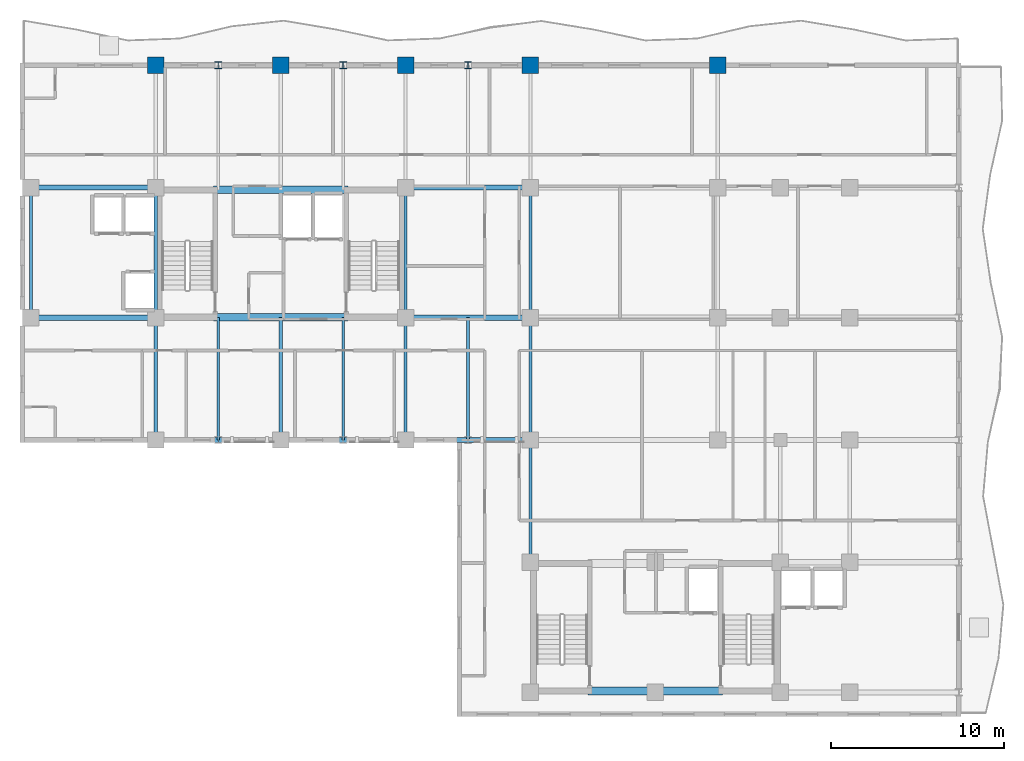
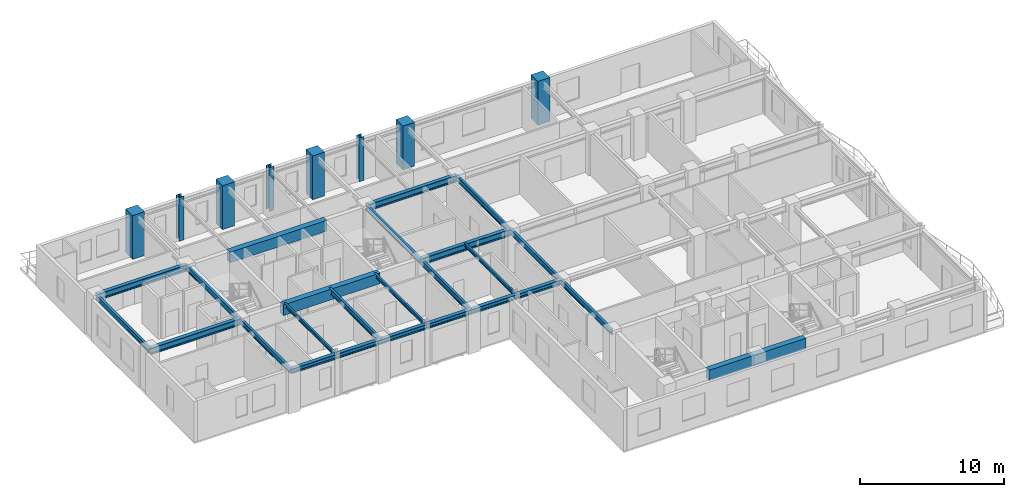
# One storey, part 3 of 13: 25 beams, 8 columns.
"""IFC4 building model written with IfcOpenShell, lengths in metres."""

from ifc_helpers import new_model, si_unit, direction, frame, origin, origin_2d, place, context, subcontext, project, spatial, rectangle, i_section, extrude, source, transform, mapped, material, material_profile, profile_set, type_object, element, save


model = new_model("IFC4")

# Units and contexts
model_context = context("Model", 3, precision=1e-05, world=origin(), true_north=direction((0.0, 1.0)))
body_context = subcontext(model_context, "Body", "Model", "MODEL_VIEW")
ifc_project = project(units=[si_unit("LENGTHUNIT", "METRE"), si_unit("AREAUNIT", "SQUARE_METRE"), si_unit("VOLUMEUNIT", "CUBIC_METRE"), si_unit("PLANEANGLEUNIT", "RADIAN"), si_unit("MASSUNIT", "GRAM", prefix="KILO")], contexts=[model_context])

# Site, building, storey
site_placement = place(None, origin())
site = spatial("IfcSite", under=ifc_project, at=site_placement, CompositionType="ELEMENT")
building_placement = place(site_placement, origin())
building = spatial("IfcBuilding", under=site, at=building_placement, Name="Kaliganga Portal Commons", CompositionType="ELEMENT")
storey_placement = place(building_placement, frame((0.0, 0.0, 212.89990234375)))
storey = spatial("IfcBuildingStorey", under=building, at=storey_placement, Name="L54", CompositionType="ELEMENT", Elevation=212.89990234375)

# Columns
ifc_material_1 = material(Name="Concrete C50/60", Category="concrete")
ifc_material_profile_1 = material_profile(ifc_material_1, rectangle(XDim=0.949951171875, YDim=0.949951171875, at=origin_2d()), Name="RC 950x950")
ifc_profile_set_1 = profile_set([ifc_material_profile_1], Name="Concrete C50/60")
column_type_1 = type_object("IfcColumnType", Name="COL-MEGA-Z4", PredefinedType="COLUMN", material=ifc_profile_set_1)
shared_shape_1 = source(origin(), body_context, "Body", "SweptSolid", [
    extrude(rectangle(XDim=0.949951171875, YDim=0.949951171875, at=origin_2d()), origin(), (0.0, 0.0, 1.0), 3.7001953125),
])
for number, where, z_axis, x_axis, name in (
    (1, (14.39990234375, 43.199951171875, 0.0), (0.0, 0.0, 1.0), (1.0, 0.0, 0.0), "Column MC-05 L54"),
    (2, (21.60009765625, 43.199951171875, 0.0), (0.0, 0.0, 1.0), (1.0, 0.0, 0.0), "Column MC-05 L54"),
    (3, (28.800048828125, 43.199951171875, 0.0), (0.0, 0.0, 1.0), (1.0, 0.0, 0.0), "Column MC-05 L54"),
    (4, (36.0, 43.199951171875, 0.0), (0.0, 0.0, 1.0), (1.0, 0.0, 0.0), "Column MC-05 L54"),
    (5, (46.800048828125, 43.199951171875, 0.0), (0.0, 0.0, 1.0), (1.0, 0.0, 0.0), "Column MC-05 L54"),
):
    element("IfcColumn", number, at=place(storey_placement, frame(where, z_axis=z_axis, x_axis=x_axis)), inside=storey, type_object=column_type_1, Name=name, PredefinedType="COLUMN", context=body_context, shape_type="MappedRepresentation", body=[
        mapped(shared_shape_1, transform((0.0, 0.0, 0.0), x_axis=(1.0, 0.0, 0.0), y_axis=(0.0, 1.0, 0.0), z_axis=(0.0, 0.0, 1.0), scale=1.0)),
    ])
ifc_material_2 = material(Name="Structural steel S355J2", Category="steel")
ifc_material_profile_2 = material_profile(ifc_material_2, i_section(OverallWidth=0.39892578125, OverallDepth=0.39990234375, WebThickness=0.017333984375, FlangeThickness=0.0234375, FilletRadius=0.014892578125, at=origin_2d()), Name="HD 400x287")
ifc_profile_set_2 = profile_set([ifc_material_profile_2], Name="Structural steel S355J2 wide-flange")
column_type_2 = type_object("IfcColumnType", Name="COL-TUBE-B4", PredefinedType="COLUMN", material=ifc_profile_set_2)
shared_shape_2 = source(origin(), body_context, "Body", "SweptSolid", [
    extrude(i_section(OverallWidth=0.39892578125, OverallDepth=0.39990234375, WebThickness=0.017333984375, FlangeThickness=0.0234375, FilletRadius=0.014892578125, at=origin_2d()), origin(), (0.0, 0.0, 1.0), 3.7001953125),
])
for number, where, z_axis, x_axis, name in (
    (6, (18.0, 43.199951171875, 0.0), (0.0, 0.0, 1.0), (1.0, 0.0, 0.0), "Column TC-04 L54"),
    (7, (25.199951171875, 43.199951171875, 0.0), (0.0, 0.0, 1.0), (1.0, 0.0, 0.0), "Column TC-04 L54"),
    (8, (32.39990234375, 43.199951171875, 0.0), (0.0, 0.0, 1.0), (1.0, 0.0, 0.0), "Column TC-04 L54"),
):
    element("IfcColumn", number, at=place(storey_placement, frame(where, z_axis=z_axis, x_axis=x_axis)), inside=storey, type_object=column_type_2, Name=name, PredefinedType="COLUMN", context=body_context, shape_type="MappedRepresentation", body=[
        mapped(shared_shape_2, transform((0.0, 0.0, 0.0), x_axis=(1.0, 0.0, 0.0), y_axis=(0.0, 1.0, 0.0), z_axis=(0.0, 0.0, 1.0), scale=1.0)),
    ])

# Beams
ifc_material_profile_3 = material_profile(ifc_material_1, rectangle(XDim=0.449951171875, YDim=0.89990234375, at=origin_2d()), Name="RC 450x900")
ifc_profile_set_3 = profile_set([ifc_material_profile_3], Name="Concrete C50/60")
beam_type_1 = type_object("IfcBeamType", Name="BM-CPL-900", PredefinedType="LINTEL", material=ifc_profile_set_3)
shared_shape_3 = source(origin(), body_context, "Body", "SweptSolid", [
    extrude(rectangle(XDim=0.449951171875, YDim=0.89990234375, at=origin_2d()), origin(), (0.0, 0.0, 1.0), 7.739990234375),
])
for number, where, z_axis, x_axis, name in (
    (9, (17.72998046875, 28.675048828125, 3.02001953125), (1.0, 0.0, 0.0), (0.0, 1.0, 0.0), "BM CPL COREA L54 S"),
    (10, (17.72998046875, 36.02490234375, 3.02001953125), (1.0, 0.0, 0.0), (0.0, 1.0, 0.0), "BM CPL COREA L54 N"),
    (11, (39.330078125, 7.125, 3.02001953125), (1.0, 0.0, 0.0), (0.0, 1.0, 0.0), "BM CPL COREB L54 S"),
):
    element("IfcBeam", number, at=place(storey_placement, frame(where, z_axis=z_axis, x_axis=x_axis)), inside=storey, type_object=beam_type_1, Name=name, PredefinedType="LINTEL", context=body_context, shape_type="MappedRepresentation", body=[
        mapped(shared_shape_3, transform((0.0, 0.0, 0.0), x_axis=(1.0, 0.0, 0.0), y_axis=(0.0, 1.0, 0.0), z_axis=(0.0, 0.0, 1.0), scale=1.0)),
    ])
ifc_material_profile_4 = material_profile(ifc_material_2, i_section(OverallWidth=0.18994140625, OverallDepth=0.449951171875, WebThickness=0.009521484375, FlangeThickness=0.0146484375, FilletRadius=0.02099609375, at=origin_2d()), Name="IPE 450")
ifc_profile_set_4 = profile_set([ifc_material_profile_4], Name="Structural steel S355J2 wide-flange")
beam_type_2 = type_object("IfcBeamType", Name="BM-FLR-450", PredefinedType="BEAM", material=ifc_profile_set_4)
shared_shape_4 = source(origin(), body_context, "Body", "SweptSolid", [
    extrude(i_section(OverallWidth=0.18994140625, OverallDepth=0.449951171875, WebThickness=0.009521484375, FlangeThickness=0.0146484375, FilletRadius=0.02099609375, at=origin_2d()), origin(), (0.0, 0.0, 1.0), 7.5),
])
for number, where, z_axis, x_axis, name in (
    (12, (7.199951171875, 28.64990234375, 3.2451171875), (0.0, 1.0, 0.0), (-1.0, 0.0, 0.0), "BM G L54 AW72"),
    (13, (14.39990234375, 28.64990234375, 3.2451171875), (0.0, 1.0, 0.0), (-1.0, 0.0, 0.0), "BM G L54 AM144"),
    (14, (28.800048828125, 28.64990234375, 3.2451171875), (0.0, 1.0, 0.0), (-1.0, 0.0, 0.0), "BM G L54 AM288"),
    (15, (36.0, 28.64990234375, 3.2451171875), (0.0, 1.0, 0.0), (-1.0, 0.0, 0.0), "BM G L54 AM360"),
):
    element("IfcBeam", number, at=place(storey_placement, frame(where, z_axis=z_axis, x_axis=x_axis)), inside=storey, type_object=beam_type_2, Name=name, PredefinedType="BEAM", context=body_context, shape_type="MappedRepresentation", body=[
        mapped(shared_shape_4, transform((0.0, 0.0, 0.0), x_axis=(1.0, 0.0, 0.0), y_axis=(0.0, 1.0, 0.0), z_axis=(0.0, 0.0, 1.0), scale=1.0)),
    ])
shared_shape_5 = source(origin(), body_context, "Body", "SweptSolid", [
    extrude(i_section(OverallWidth=0.18994140625, OverallDepth=0.449951171875, WebThickness=0.009521484375, FlangeThickness=0.0146484375, FilletRadius=0.02099609375, at=origin_2d()), origin(), (0.0, 0.0, 1.0), 7.050048828125),
])
beam_1_placement = place(storey_placement, frame((36.0, 14.550048828125, 3.2451171875), z_axis=(0.0, 1.0, 0.0), x_axis=(-1.0, 0.0, 0.0)))
element("IfcBeam", 16, at=beam_1_placement, inside=storey, type_object=beam_type_2, Name="BM G L54 BNK360", PredefinedType="BEAM", context=body_context, shape_type="MappedRepresentation", body=[
    mapped(shared_shape_5, transform((0.0, 0.0, 0.0), x_axis=(1.0, 0.0, 0.0), y_axis=(0.0, 1.0, 0.0), z_axis=(0.0, 0.0, 1.0), scale=1.0)),
])
shared_shape_6 = source(origin(), body_context, "Body", "SweptSolid", [
    extrude(i_section(OverallWidth=0.18994140625, OverallDepth=0.449951171875, WebThickness=0.009521484375, FlangeThickness=0.0146484375, FilletRadius=0.02099609375, at=origin_2d()), origin(), (0.0, 0.0, 1.0), 7.0498046875),
])
for number, where, z_axis, x_axis, name in (
    (17, (14.39990234375, 21.60009765625, 3.2451171875), (0.0, 1.0, 0.0), (-1.0, 0.0, 0.0), "BM G L54 AS144"),
    (18, (28.800048828125, 21.60009765625, 3.2451171875), (0.0, 1.0, 0.0), (-1.0, 0.0, 0.0), "BM G L54 AS288"),
    (19, (36.0, 21.60009765625, 3.2451171875), (0.0, 1.0, 0.0), (-1.0, 0.0, 0.0), "BM G L54 AS360"),
):
    element("IfcBeam", number, at=place(storey_placement, frame(where, z_axis=z_axis, x_axis=x_axis)), inside=storey, type_object=beam_type_2, Name=name, PredefinedType="BEAM", context=body_context, shape_type="MappedRepresentation", body=[
        mapped(shared_shape_6, transform((0.0, 0.0, 0.0), x_axis=(1.0, 0.0, 0.0), y_axis=(0.0, 1.0, 0.0), z_axis=(0.0, 0.0, 1.0), scale=1.0)),
    ])
ifc_material_profile_5 = material_profile(ifc_material_2, i_section(OverallWidth=0.14990234375, OverallDepth=0.300048828125, WebThickness=0.007080078125, FlangeThickness=0.0107421875, FilletRadius=0.014892578125, at=origin_2d()), Name="IPE 300")
ifc_profile_set_5 = profile_set([ifc_material_profile_5], Name="Structural steel S355J2 wide-flange")
beam_type_3 = type_object("IfcBeamType", Name="BM-JST-300", PredefinedType="JOIST", material=ifc_profile_set_5)
shared_shape_7 = source(origin(), body_context, "Body", "SweptSolid", [
    extrude(i_section(OverallWidth=0.14990234375, OverallDepth=0.300048828125, WebThickness=0.007080078125, FlangeThickness=0.0107421875, FilletRadius=0.014892578125, at=origin_2d()), origin(), (0.0, 0.0, 1.0), 7.0498046875),
])
beam_2_placement = place(storey_placement, frame((32.39990234375, 21.60009765625, 3.320068359375), z_axis=(0.0, 1.0, 0.0), x_axis=(-1.0, 0.0, 0.0)))
element("IfcBeam", 20, at=beam_2_placement, inside=storey, type_object=beam_type_3, Name="BM G L54 AS324", PredefinedType="JOIST", context=body_context, shape_type="MappedRepresentation", body=[
    mapped(shared_shape_7, transform((0.0, 0.0, 0.0), x_axis=(1.0, 0.0, 0.0), y_axis=(0.0, 1.0, 0.0), z_axis=(0.0, 0.0, 1.0), scale=1.0)),
])
ifc_material_profile_6 = material_profile(ifc_material_2, i_section(OverallWidth=0.300048828125, OverallDepth=0.39990234375, WebThickness=0.013427734375, FlangeThickness=0.02392578125, FilletRadius=0.027099609375, at=origin_2d()), Name="HE 400 B")
ifc_profile_set_6 = profile_set([ifc_material_profile_6], Name="Structural steel S355J2 wide-flange")
beam_type_4 = type_object("IfcBeamType", Name="BM-SPAND-400", PredefinedType="SPANDREL", material=ifc_profile_set_6)
shared_shape_8 = source(origin(), body_context, "Body", "SweptSolid", [
    extrude(i_section(OverallWidth=0.300048828125, OverallDepth=0.39990234375, WebThickness=0.013427734375, FlangeThickness=0.02392578125, FilletRadius=0.027099609375, at=origin_2d()), origin(), (0.0, 0.0, 1.0), 3.60009765625),
])
for number, where, z_axis, x_axis, name in (
    (21, (14.39990234375, 21.60009765625, 3.27001953125), (1.0, 0.0, 0.0), (0.0, 1.0, 0.0), "BM SP L54 AS 1"),
    (22, (18.0, 21.60009765625, 3.27001953125), (1.0, 0.0, 0.0), (0.0, 1.0, 0.0), "BM SP L54 AS 2"),
    (23, (25.199951171875, 21.60009765625, 3.27001953125), (1.0, 0.0, 0.0), (0.0, 1.0, 0.0), "BM SP L54 AS 4"),
    (24, (32.39990234375, 21.60009765625, 3.27001953125), (1.0, 0.0, 0.0), (0.0, 1.0, 0.0), "BM SP L54 AS 6"),
):
    element("IfcBeam", number, at=place(storey_placement, frame(where, z_axis=z_axis, x_axis=x_axis)), inside=storey, type_object=beam_type_4, Name=name, PredefinedType="SPANDREL", context=body_context, shape_type="MappedRepresentation", body=[
        mapped(shared_shape_8, transform((0.0, 0.0, 0.0), x_axis=(1.0, 0.0, 0.0), y_axis=(0.0, 1.0, 0.0), z_axis=(0.0, 0.0, 1.0), scale=1.0)),
    ])
shared_shape_9 = source(origin(), body_context, "Body", "SweptSolid", [
    extrude(i_section(OverallWidth=0.300048828125, OverallDepth=0.39990234375, WebThickness=0.013427734375, FlangeThickness=0.02392578125, FilletRadius=0.027099609375, at=origin_2d()), origin(), (0.0, 0.0, 1.0), 3.599853515625),
])
for number, where, z_axis, x_axis, name in (
    (25, (21.60009765625, 21.60009765625, 3.27001953125), (1.0, 0.0, 0.0), (0.0, 1.0, 0.0), "BM SP L54 AS 3"),
    (26, (28.800048828125, 21.60009765625, 3.27001953125), (1.0, 0.0, 0.0), (0.0, 1.0, 0.0), "BM SP L54 AS 5"),
):
    element("IfcBeam", number, at=place(storey_placement, frame(where, z_axis=z_axis, x_axis=x_axis)), inside=storey, type_object=beam_type_4, Name=name, PredefinedType="SPANDREL", context=body_context, shape_type="MappedRepresentation", body=[
        mapped(shared_shape_9, transform((0.0, 0.0, 0.0), x_axis=(1.0, 0.0, 0.0), y_axis=(0.0, 1.0, 0.0), z_axis=(0.0, 0.0, 1.0), scale=1.0)),
    ])
ifc_material_profile_7 = material_profile(ifc_material_2, i_section(OverallWidth=0.300048828125, OverallDepth=0.550048828125, WebThickness=0.014892578125, FlangeThickness=0.029052734375, FilletRadius=0.027099609375, at=origin_2d()), Name="HE 550 B")
ifc_profile_set_7 = profile_set([ifc_material_profile_7], Name="Structural steel S355J2 wide-flange")
beam_type_5 = type_object("IfcBeamType", Name="BM-GIRD-550", PredefinedType="USERDEFINED", material=ifc_profile_set_7)
shared_shape_10 = source(origin(), body_context, "Body", "SweptSolid", [
    extrude(i_section(OverallWidth=0.300048828125, OverallDepth=0.550048828125, WebThickness=0.014892578125, FlangeThickness=0.029052734375, FilletRadius=0.027099609375, at=origin_2d()), origin(), (0.0, 0.0, 1.0), 7.199951171875),
])
for number, where, z_axis, x_axis, name in (
    (27, (7.199951171875, 28.64990234375, 3.195068359375), (1.0, 0.0, 0.0), (0.0, 1.0, 0.0), "BM G L54 WAH_S 1"),
    (28, (7.199951171875, 36.14990234375, 3.195068359375), (1.0, 0.0, 0.0), (0.0, 1.0, 0.0), "BM G L54 WAH_N 1"),
    (29, (28.800048828125, 28.64990234375, 3.195068359375), (1.0, 0.0, 0.0), (0.0, 1.0, 0.0), "BM G L54 WAE_S 1"),
    (30, (28.800048828125, 36.14990234375, 3.195068359375), (1.0, 0.0, 0.0), (0.0, 1.0, 0.0), "BM G L54 WAE_N 1"),
):
    element("IfcBeam", number, at=place(storey_placement, frame(where, z_axis=z_axis, x_axis=x_axis)), inside=storey, type_object=beam_type_5, Name=name, ObjectType="GIRDER", PredefinedType="USERDEFINED", context=body_context, shape_type="MappedRepresentation", body=[
        mapped(shared_shape_10, transform((0.0, 0.0, 0.0), x_axis=(1.0, 0.0, 0.0), y_axis=(0.0, 1.0, 0.0), z_axis=(0.0, 0.0, 1.0), scale=1.0)),
    ])
shared_shape_11 = source(origin(), body_context, "Body", "SweptSolid", [
    extrude(i_section(OverallWidth=0.14990234375, OverallDepth=0.300048828125, WebThickness=0.007080078125, FlangeThickness=0.0107421875, FilletRadius=0.014892578125, at=origin_2d()), origin(), (0.0, 0.0, 1.0), 7.074951171875),
])
for number, where, z_axis, x_axis, name in (
    (31, (18.0, 21.60009765625, 3.320068359375), (0.0, 1.0, 0.0), (-1.0, 0.0, 0.0), "BM G L54 AS180"),
    (32, (25.199951171875, 21.60009765625, 3.320068359375), (0.0, 1.0, 0.0), (-1.0, 0.0, 0.0), "BM G L54 AS252"),
):
    element("IfcBeam", number, at=place(storey_placement, frame(where, z_axis=z_axis, x_axis=x_axis)), inside=storey, type_object=beam_type_3, Name=name, PredefinedType="JOIST", context=body_context, shape_type="MappedRepresentation", body=[
        mapped(shared_shape_11, transform((0.0, 0.0, 0.0), x_axis=(1.0, 0.0, 0.0), y_axis=(0.0, 1.0, 0.0), z_axis=(0.0, 0.0, 1.0), scale=1.0)),
    ])
shared_shape_12 = source(origin(), body_context, "Body", "SweptSolid", [
    extrude(i_section(OverallWidth=0.18994140625, OverallDepth=0.449951171875, WebThickness=0.009521484375, FlangeThickness=0.0146484375, FilletRadius=0.02099609375, at=origin_2d()), origin(), (0.0, 0.0, 1.0), 7.074951171875),
])
beam_3_placement = place(storey_placement, frame((21.60009765625, 21.60009765625, 3.2451171875), z_axis=(0.0, 1.0, 0.0), x_axis=(-1.0, 0.0, 0.0)))
element("IfcBeam", 33, at=beam_3_placement, inside=storey, type_object=beam_type_2, Name="BM G L54 AS216", PredefinedType="BEAM", context=body_context, shape_type="MappedRepresentation", body=[
    mapped(shared_shape_12, transform((0.0, 0.0, 0.0), x_axis=(1.0, 0.0, 0.0), y_axis=(0.0, 1.0, 0.0), z_axis=(0.0, 0.0, 1.0), scale=1.0)),
])

save(model, "model.ifc")
